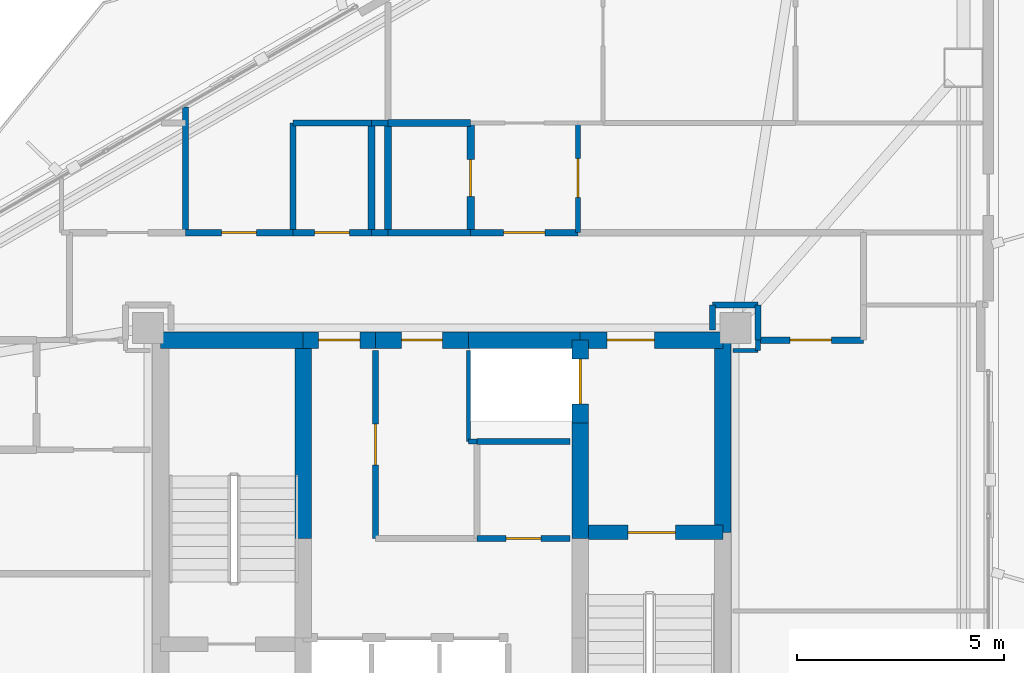
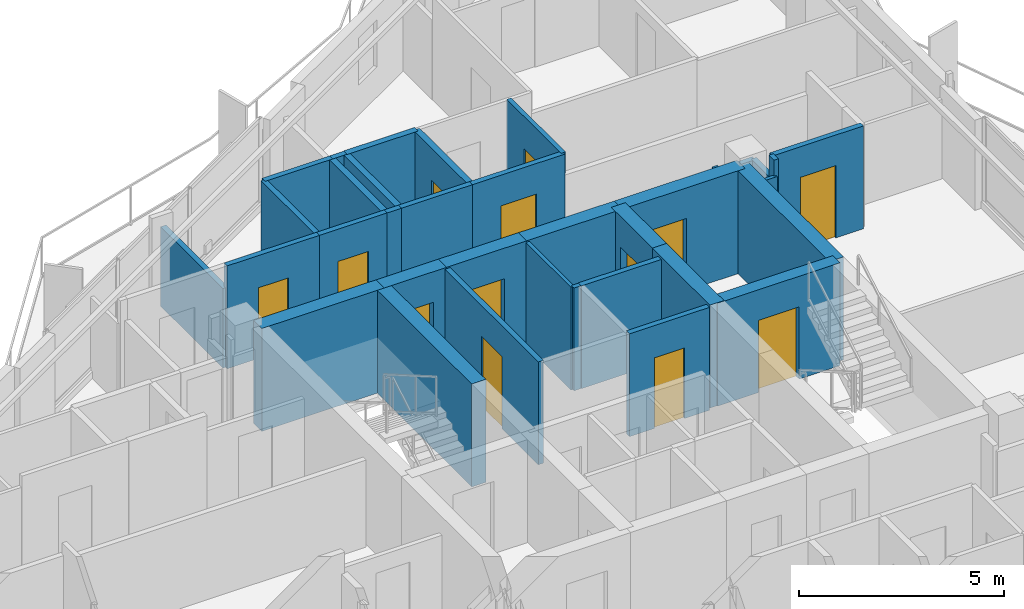
# One storey, part 15 of 19: 35 walls, 13 doors, 13 openings.
"""IFC4 building model written with IfcOpenShell, lengths in metres."""

from ifc_helpers import new_model, si_unit, direction, frame, frame_2d, origin, place, context, subcontext, project, spatial, rectangle, extrude, material, layer, layer_set, type_object, element, fill, save


model = new_model("IFC4")

# Units and contexts
model_context = context("Model", 3, precision=1e-05, world=origin(), true_north=direction((0.0, 1.0)))
body_context = subcontext(model_context, "Body", "Model", "MODEL_VIEW")
ifc_project = project(units=[si_unit("LENGTHUNIT", "METRE"), si_unit("AREAUNIT", "SQUARE_METRE"), si_unit("VOLUMEUNIT", "CUBIC_METRE"), si_unit("PLANEANGLEUNIT", "RADIAN"), si_unit("MASSUNIT", "GRAM", prefix="KILO")], contexts=[model_context])

# Site, building, storey
site_placement = place(None, origin())
site = spatial("IfcSite", under=ifc_project, at=site_placement, CompositionType="ELEMENT")
building_placement = place(site_placement, origin())
building = spatial("IfcBuilding", under=site, at=building_placement, Name="Mersakhor Tower and Convention Hall", CompositionType="ELEMENT")
storey_placement = place(building_placement, frame((0.0, 0.0, 147.60009765625)))
storey = spatial("IfcBuildingStorey", under=building, at=storey_placement, Name="L41", CompositionType="ELEMENT", Elevation=147.60009765625)

# Wall, opening, door
ifc_material_1 = material(Name="Moisture-resistant acoustic drywall studwork", Category="other")
ifc_layer_1 = layer(ifc_material_1, 0.175048828125)
ifc_layer_set_1 = layer_set([ifc_layer_1], Name="Moisture-resistant acoustic drywall studwork")
wall_type_1 = type_object("IfcWallType", Name="WL-PLM-175", PredefinedType="PLUMBINGWALL", material=ifc_layer_set_1)
wall_1_placement = place(storey_placement, frame((29.699951171875, 35.35009765625, 0.0), z_axis=(0.0, 0.0, 1.0), x_axis=(0.0, 1.0, 0.0)))
wall_1 = element("IfcWall", 1, at=wall_1_placement, inside=storey, type_object=wall_type_1, Name="L41 Interior Partition Wall P-054", PredefinedType="PLUMBINGWALL", context=body_context, shape_type="SweptSolid", body=[
    extrude(rectangle(XDim=2.64990234375, YDim=0.175048828125, at=frame_2d((1.324951171875, 0.0))), origin(), (0.0, 0.0, 1.0), 3.059814453125),
])
opening_1_placement = place(wall_1_placement, frame((0.875, 0.0, 0.0)))
opening_1 = element("IfcOpeningElement", 2, at=opening_1_placement, cuts=wall_1, Name="Opening WD-01", PredefinedType="OPENING", context=body_context, shape_type="SweptSolid", body=[
    extrude(rectangle(XDim=0.89990234375, YDim=2.10009765625, at=frame_2d((0.449951171875, 1.050048828125))), frame((0.0, 0.097412109375, 0.0), z_axis=(0.0, -1.0, 0.0), x_axis=(1.0, 0.0, 0.0)), (0.0, 0.0, 1.0), 0.195068359375),
])
ifc_material_2 = material(Name="Solid-core hardwood leaf in painted steel frame", Category="steel")
door_type_1 = type_object("IfcDoorType", Name="DR-INT-WET-090x210", OperationType="NOTDEFINED", PredefinedType="DOOR", material=ifc_material_2)
door_1_placement = place(opening_1_placement, origin())
door_1 = element("IfcDoor", 3, at=door_1_placement, inside=storey, type_object=door_type_1, Name="L41 L41 Flat N2 Apartment Hall to L41 Flat N2 Bathroom Door", OperationType="SINGLE_SWING_LEFT", OverallHeight=2.10009765625, OverallWidth=0.89990234375, PredefinedType="DOOR", context=body_context, shape_type="SweptSolid", body=[
    extrude(rectangle(XDim=0.89990234375, YDim=2.10009765625, at=frame_2d((0.449951171875, 1.050048828125))), frame((0.0, 0.02490234375, 0.0), z_axis=(0.0, -1.0, 0.0), x_axis=(1.0, 0.0, 0.0)), (0.0, 0.0, 1.0), 0.050048828125),
])
fill(opening_1, door_1)

# Walls
wall_2_placement = place(storey_placement, frame((27.300048828125, 38.0, 0.0), z_axis=(0.0, 0.0, 1.0), x_axis=(0.0, -1.0, 0.0)))
element("IfcWall", 4, at=wall_2_placement, inside=storey, type_object=wall_type_1, Name="L41 Interior Partition Wall P-069", PredefinedType="PLUMBINGWALL", context=body_context, shape_type="SweptSolid", body=[
    extrude(rectangle(XDim=2.64990234375, YDim=0.175048828125, at=frame_2d((1.324951171875, 0.0))), origin(), (0.0, 0.0, 1.0), 3.059814453125),
])
wall_3_placement = place(storey_placement, frame((27.699951171875, 38.0, 0.0), z_axis=(0.0, 0.0, 1.0), x_axis=(1.0, 0.0, 0.0)))
element("IfcWall", 5, at=wall_3_placement, inside=storey, type_object=wall_type_1, Name="L41 Interior Partition Wall P-071", PredefinedType="PLUMBINGWALL", context=body_context, shape_type="SweptSolid", body=[
    extrude(rectangle(XDim=2.0, YDim=0.175048828125, at=frame_2d((1.0, 0.0))), origin(), (0.0, 0.0, 1.0), 3.059814453125),
])
wall_4_placement = place(storey_placement, frame((27.699951171875, 35.35009765625, 0.0), z_axis=(0.0, 0.0, 1.0), x_axis=(0.0, 1.0, 0.0)))
element("IfcWall", 6, at=wall_4_placement, inside=storey, type_object=wall_type_1, Name="L41 Interior Partition Wall P-072", PredefinedType="PLUMBINGWALL", context=body_context, shape_type="SweptSolid", body=[
    extrude(rectangle(XDim=2.64990234375, YDim=0.175048828125, at=frame_2d((1.324951171875, 0.0))), origin(), (0.0, 0.0, 1.0), 3.059814453125),
])
ifc_material_3 = material(Name="Lightweight gypsum partition", Category="other")
ifc_layer_2 = layer(ifc_material_3, 0.10009765625)
ifc_layer_set_2 = layer_set([ifc_layer_2], Name="Lightweight gypsum partition")
wall_type_2 = type_object("IfcWallType", Name="WL-PRT-100", PredefinedType="PARTITIONING", material=ifc_layer_set_2)
wall_5_placement = place(storey_placement, frame((29.64990234375, 30.300048828125, 0.0), z_axis=(0.0, 0.0, 1.0), x_axis=(0.0, 1.0, 0.0)))
element("IfcWall", 7, at=wall_5_placement, inside=storey, type_object=wall_type_2, Name="L41 Interior Partition Wall P-006", PredefinedType="PARTITIONING", context=body_context, shape_type="SweptSolid", body=[
    extrude(rectangle(XDim=2.199951171875, YDim=0.10009765625, at=frame_2d((1.10009765625, 0.0))), origin(), (0.0, 0.0, 1.0), 3.059814453125),
])
wall_6_placement = place(storey_placement, frame((36.050048828125, 32.5, 0.0), z_axis=(0.0, 0.0, 1.0), x_axis=(1.0, 0.0, 0.0)))
element("IfcWall", 8, at=wall_6_placement, inside=storey, type_object=wall_type_2, Name="L41 Interior Partition Wall P-098", PredefinedType="PARTITIONING", context=body_context, shape_type="SweptSolid", body=[
    extrude(rectangle(XDim=0.599853515625, YDim=0.10009765625, at=frame_2d((0.2998046875, 0.0))), origin(), (0.0, 0.0, 1.0), 2.5849609375),
])
ifc_material_4 = material(Name="Gypsum board acoustic partition", Category="other")
ifc_layer_3 = layer(ifc_material_4, 0.125)
ifc_layer_set_3 = layer_set([ifc_layer_3], Name="Gypsum board acoustic partition")
wall_type_3 = type_object("IfcWallType", Name="WL-PRT-125", PredefinedType="PARTITIONING", material=ifc_layer_set_3)
wall_7_placement = place(storey_placement, frame((29.85009765625, 30.300048828125, 0.0), z_axis=(0.0, 0.0, 1.0), x_axis=(-1.0, 0.0, 0.0)))
element("IfcWall", 9, at=wall_7_placement, inside=storey, type_object=wall_type_3, Name="L41 Interior Partition Wall P-005", PredefinedType="PARTITIONING", context=body_context, shape_type="SweptSolid", body=[
    extrude(rectangle(XDim=0.2001953125, YDim=0.125, at=frame_2d((0.10009765625, 0.0))), origin(), (0.0, 0.0, 1.0), 3.059814453125),
])

# Wall, opening, door
wall_8_placement = place(storey_placement, frame((32.300048828125, 38.0, 0.0), z_axis=(0.0, 0.0, 1.0), x_axis=(0.0, -1.0, 0.0)))
wall_8 = element("IfcWall", 10, at=wall_8_placement, inside=storey, type_object=wall_type_3, Name="L41 Interior Partition Wall P-053", PredefinedType="PARTITIONING", context=body_context, shape_type="SweptSolid", body=[
    extrude(rectangle(XDim=2.64990234375, YDim=0.125, at=frame_2d((1.324951171875, 0.0))), origin(), (0.0, 0.0, 1.0), 3.059814453125),
])
opening_2_placement = place(wall_8_placement, frame((0.85009765625, 0.0, 0.0)))
opening_2 = element("IfcOpeningElement", 11, at=opening_2_placement, cuts=wall_8, Name="Opening RD-01", PredefinedType="OPENING", context=body_context, shape_type="SweptSolid", body=[
    extrude(rectangle(XDim=0.949951171875, YDim=2.10009765625, at=frame_2d((0.47509765625, 1.050048828125))), frame((0.0, 0.072509765625, 0.0), z_axis=(0.0, -1.0, 0.0), x_axis=(1.0, 0.0, 0.0)), (0.0, 0.0, 1.0), 0.14501953125),
])
ifc_material_5 = material(Name="Solid-core hardwood leaf in painted steel frame", Category="steel")
door_type_2 = type_object("IfcDoorType", Name="DR-INT-RM-095x210", OperationType="NOTDEFINED", PredefinedType="DOOR", material=ifc_material_5)
door_2_placement = place(opening_2_placement, origin())
door_2 = element("IfcDoor", 12, at=door_2_placement, inside=storey, type_object=door_type_2, Name="L41 L41 Flat N2 Apartment Hall to L41 Flat N2 Kitchen Door", OperationType="SINGLE_SWING_RIGHT", OverallHeight=2.10009765625, OverallWidth=0.949951171875, PredefinedType="DOOR", context=body_context, shape_type="SweptSolid", body=[
    extrude(rectangle(XDim=0.949951171875, YDim=2.10009765625, at=frame_2d((0.47509765625, 1.050048828125))), frame((0.0, 0.02490234375, 0.0), z_axis=(0.0, -1.0, 0.0), x_axis=(1.0, 0.0, 0.0)), (0.0, 0.0, 1.0), 0.050048828125),
])
fill(opening_2, door_2)

# Walls
wall_9_placement = place(storey_placement, frame((36.64990234375, 32.5, 0.0), z_axis=(0.0, 0.0, 1.0), x_axis=(0.0, 1.0, 0.0)))
element("IfcWall", 13, at=wall_9_placement, inside=storey, type_object=wall_type_3, Name="L41 Interior Partition Wall P-099", PredefinedType="PARTITIONING", context=body_context, shape_type="SweptSolid", body=[
    extrude(rectangle(XDim=0.25, YDim=0.125, at=frame_2d((0.125, 0.0))), origin(), (0.0, 0.0, 1.0), 3.059814453125),
])
ifc_material_6 = material(Name="Fire-rated gypsum board stud partition", Category="other")
ifc_layer_4 = layer(ifc_material_6, 0.14990234375)
ifc_layer_set_4 = layer_set([ifc_layer_4], Name="Fire-rated gypsum board stud partition")
wall_type_4 = type_object("IfcWallType", Name="WL-PRT-150", PredefinedType="PARTITIONING", material=ifc_layer_set_4)
wall_10_placement = place(storey_placement, frame((32.10009765625, 30.300048828125, 0.0), z_axis=(0.0, 0.0, 1.0), x_axis=(-1.0, 0.0, 0.0)))
element("IfcWall", 14, at=wall_10_placement, inside=storey, type_object=wall_type_4, Name="L41 Interior Partition Wall P-004", PredefinedType="PARTITIONING", context=body_context, shape_type="SweptSolid", body=[
    extrude(rectangle(XDim=2.25, YDim=0.14990234375, at=frame_2d((1.125, 0.0))), origin(), (0.0, 0.0, 1.0), 3.059814453125),
])

# Wall, opening, door
wall_11_placement = place(storey_placement, frame((27.39990234375, 32.5, 0.0), z_axis=(0.0, 0.0, 1.0), x_axis=(0.0, -1.0, 0.0)))
wall_11 = element("IfcWall", 15, at=wall_11_placement, inside=storey, type_object=wall_type_4, Name="L41 Interior Partition Wall P-013", PredefinedType="PARTITIONING", context=body_context, shape_type="SweptSolid", body=[
    extrude(rectangle(XDim=4.550048828125, YDim=0.14990234375, at=frame_2d((2.27490234375, 0.0))), origin(), (0.0, 0.0, 1.0), 3.059814453125),
])
opening_3_placement = place(wall_11_placement, frame((1.77490234375, 0.0, 0.0)))
opening_3 = element("IfcOpeningElement", 16, at=opening_3_placement, cuts=wall_11, Name="Opening FD-01", PredefinedType="OPENING", context=body_context, shape_type="SweptSolid", body=[
    extrude(rectangle(XDim=1.0, YDim=2.14990234375, at=frame_2d((0.5, 1.074951171875))), frame((0.0, 0.0849609375, 0.0), z_axis=(0.0, -1.0, 0.0), x_axis=(1.0, 0.0, 0.0)), (0.0, 0.0, 1.0), 0.169921875),
])
ifc_material_7 = material(Name="Fire-rated hardwood leaf and painted steel frame", Category="steel")
door_type_3 = type_object("IfcDoorType", Name="DR-INT-FLT-100x215", OperationType="NOTDEFINED", PredefinedType="DOOR", material=ifc_material_7)
door_3_placement = place(opening_3_placement, origin())
door_3 = element("IfcDoor", 17, at=door_3_placement, inside=storey, type_object=door_type_3, Name="L41 Central Passenger Lift Lobby to Communal Resident Laundry Room Door", OperationType="SINGLE_SWING_RIGHT", OverallHeight=2.14990234375, OverallWidth=1.0, PredefinedType="DOOR", context=body_context, shape_type="SweptSolid", body=[
    extrude(rectangle(XDim=1.0, YDim=2.14990234375, at=frame_2d((0.5, 1.074951171875))), frame((0.0, 0.02490234375, 0.0), z_axis=(0.0, -1.0, 0.0), x_axis=(1.0, 0.0, 0.0)), (0.0, 0.0, 1.0), 0.050048828125),
])
fill(opening_3, door_3)

wall_12_placement = place(storey_placement, frame((29.85009765625, 27.949951171875, 0.0), z_axis=(0.0, 0.0, 1.0), x_axis=(1.0, 0.0, 0.0)))
wall_12 = element("IfcWall", 18, at=wall_12_placement, inside=storey, type_object=wall_type_4, Name="L41 Interior Partition Wall P-015", PredefinedType="PARTITIONING", context=body_context, shape_type="SweptSolid", body=[
    extrude(rectangle(XDim=2.25, YDim=0.14990234375, at=frame_2d((1.125, 0.0))), origin(), (0.0, 0.0, 1.0), 3.059814453125),
])
opening_4_placement = place(wall_12_placement, frame((0.699951171875, 0.0, 0.0)))
opening_4 = element("IfcOpeningElement", 19, at=opening_4_placement, cuts=wall_12, Name="Opening SVD-01", PredefinedType="OPENING", context=body_context, shape_type="SweptSolid", body=[
    extrude(rectangle(XDim=0.85009765625, YDim=2.10009765625, at=frame_2d((0.425048828125, 1.050048828125))), frame((0.0, 0.0849609375, 0.0), z_axis=(0.0, -1.0, 0.0), x_axis=(1.0, 0.0, 0.0)), (0.0, 0.0, 1.0), 0.169921875),
])
ifc_material_8 = material(Name="Fire-rated hardwood leaf and painted steel frame", Category="steel")
door_type_4 = type_object("IfcDoorType", Name="DR-INT-SVC-085x210", OperationType="NOTDEFINED", PredefinedType="DOOR", material=ifc_material_8)
door_4_placement = place(opening_4_placement, origin())
door_4 = element("IfcDoor", 20, at=door_4_placement, inside=storey, type_object=door_type_4, Name="L41 Central Passenger Lift Lobby to Resident Pram and Linen Store Room Door", OperationType="SINGLE_SWING_LEFT", OverallHeight=2.10009765625, OverallWidth=0.85009765625, PredefinedType="DOOR", context=body_context, shape_type="SweptSolid", body=[
    extrude(rectangle(XDim=0.85009765625, YDim=2.10009765625, at=frame_2d((0.425048828125, 1.050048828125))), frame((0.0, 0.02490234375, 0.0), z_axis=(0.0, -1.0, 0.0), x_axis=(1.0, 0.0, 0.0)), (0.0, 0.0, 1.0), 0.050048828125),
])
fill(opening_4, door_4)

# Wall
wall_13_placement = place(storey_placement, frame((35.550048828125, 33.60009765625, 0.0), z_axis=(0.0, 0.0, 1.0), x_axis=(0.0, -1.0, 0.0)))
element("IfcWall", 21, at=wall_13_placement, inside=storey, type_object=wall_type_4, Name="L41 Interior Partition Wall P-016", PredefinedType="PARTITIONING", context=body_context, shape_type="SweptSolid", body=[
    extrude(rectangle(XDim=0.60009765625, YDim=0.14990234375, at=frame_2d((0.300048828125, 0.0))), origin(), (0.0, 0.0, 1.0), 2.5849609375),
])

# Wall, opening, door
wall_14_placement = place(storey_placement, frame((22.800048828125, 35.35009765625, 0.0), z_axis=(0.0, 0.0, 1.0), x_axis=(1.0, 0.0, 0.0)))
wall_14 = element("IfcWall", 22, at=wall_14_placement, inside=storey, type_object=wall_type_4, Name="L41 Interior Partition Wall P-023", PredefinedType="PARTITIONING", context=body_context, shape_type="SweptSolid", body=[
    extrude(rectangle(XDim=2.599853515625, YDim=0.14990234375, at=frame_2d((1.2998046875, 0.0))), origin(), (0.0, 0.0, 1.0), 3.059814453125),
])
opening_5_placement = place(wall_14_placement, frame((0.875, 0.0, 0.0)))
opening_5 = element("IfcOpeningElement", 23, at=opening_5_placement, cuts=wall_14, Name="Opening SVD-01", PredefinedType="OPENING", context=body_context, shape_type="SweptSolid", body=[
    extrude(rectangle(XDim=0.85009765625, YDim=2.10009765625, at=frame_2d((0.425048828125, 1.050048828125))), frame((0.0, 0.0849609375, 0.0), z_axis=(0.0, -1.0, 0.0), x_axis=(1.0, 0.0, 0.0)), (0.0, 0.0, 1.0), 0.169921875),
])
door_5_placement = place(opening_5_placement, origin())
door_5 = element("IfcDoor", 24, at=door_5_placement, inside=storey, type_object=door_type_4, Name="L41 Residential North Gallery Corridor to L41 Floor Household Store Room 1-1 Door", OperationType="SINGLE_SWING_RIGHT", OverallHeight=2.10009765625, OverallWidth=0.85009765625, PredefinedType="DOOR", context=body_context, shape_type="SweptSolid", body=[
    extrude(rectangle(XDim=0.85009765625, YDim=2.10009765625, at=frame_2d((0.425048828125, 1.050048828125))), frame((0.0, 0.02490234375, 0.0), z_axis=(0.0, -1.0, 0.0), x_axis=(1.0, 0.0, 0.0)), (0.0, 0.0, 1.0), 0.050048828125),
])
fill(opening_5, door_5)

wall_15_placement = place(storey_placement, frame((25.39990234375, 35.35009765625, 0.0), z_axis=(0.0, 0.0, 1.0), x_axis=(1.0, 0.0, 0.0)))
wall_15 = element("IfcWall", 25, at=wall_15_placement, inside=storey, type_object=wall_type_4, Name="L41 Interior Partition Wall P-024", PredefinedType="PARTITIONING", context=body_context, shape_type="SweptSolid", body=[
    extrude(rectangle(XDim=1.900146484375, YDim=0.14990234375, at=frame_2d((0.9501953125, 0.0))), origin(), (0.0, 0.0, 1.0), 3.059814453125),
])
opening_6_placement = place(wall_15_placement, frame((0.52490234375, 0.0, 0.0)))
opening_6 = element("IfcOpeningElement", 26, at=opening_6_placement, cuts=wall_15, Name="Opening SVD-01", PredefinedType="OPENING", context=body_context, shape_type="SweptSolid", body=[
    extrude(rectangle(XDim=0.85009765625, YDim=2.10009765625, at=frame_2d((0.425048828125, 1.050048828125))), frame((0.0, 0.0849609375, 0.0), z_axis=(0.0, -1.0, 0.0), x_axis=(1.0, 0.0, 0.0)), (0.0, 0.0, 1.0), 0.169921875),
])
door_6_placement = place(opening_6_placement, origin())
door_6 = element("IfcDoor", 27, at=door_6_placement, inside=storey, type_object=door_type_4, Name="L41 Residential North Gallery Corridor to L41 Floor Shared Restroom WC 1-2 Door", OperationType="SINGLE_SWING_LEFT", OverallHeight=2.10009765625, OverallWidth=0.85009765625, PredefinedType="DOOR", context=body_context, shape_type="SweptSolid", body=[
    extrude(rectangle(XDim=0.85009765625, YDim=2.10009765625, at=frame_2d((0.425048828125, 1.050048828125))), frame((0.0, 0.02490234375, 0.0), z_axis=(0.0, -1.0, 0.0), x_axis=(1.0, 0.0, 0.0)), (0.0, 0.0, 1.0), 0.050048828125),
])
fill(opening_6, door_6)

# Walls
wall_16_placement = place(storey_placement, frame((27.300048828125, 35.35009765625, 0.0), z_axis=(0.0, 0.0, 1.0), x_axis=(1.0, 0.0, 0.0)))
element("IfcWall", 28, at=wall_16_placement, inside=storey, type_object=wall_type_4, Name="L41 Interior Partition Wall P-025", PredefinedType="PARTITIONING", context=body_context, shape_type="SweptSolid", body=[
    extrude(rectangle(XDim=0.39990234375, YDim=0.14990234375, at=frame_2d((0.199951171875, 0.0))), origin(), (0.0, 0.0, 1.0), 3.059814453125),
])
wall_17_placement = place(storey_placement, frame((27.699951171875, 35.35009765625, 0.0), z_axis=(0.0, 0.0, 1.0), x_axis=(1.0, 0.0, 0.0)))
element("IfcWall", 29, at=wall_17_placement, inside=storey, type_object=wall_type_4, Name="L41 Interior Partition Wall P-026", PredefinedType="PARTITIONING", context=body_context, shape_type="SweptSolid", body=[
    extrude(rectangle(XDim=2.0, YDim=0.14990234375, at=frame_2d((1.0, 0.0))), origin(), (0.0, 0.0, 1.0), 3.059814453125),
])

# Wall, opening, door
wall_18_placement = place(storey_placement, frame((29.699951171875, 35.35009765625, 0.0), z_axis=(0.0, 0.0, 1.0), x_axis=(1.0, 0.0, 0.0)))
wall_18 = element("IfcWall", 30, at=wall_18_placement, inside=storey, type_object=wall_type_4, Name="L41 Interior Partition Wall P-027", PredefinedType="PARTITIONING", context=body_context, shape_type="SweptSolid", body=[
    extrude(rectangle(XDim=2.60009765625, YDim=0.14990234375, at=frame_2d((1.300048828125, 0.0))), origin(), (0.0, 0.0, 1.0), 3.059814453125),
])
opening_7_placement = place(wall_18_placement, frame((0.800048828125, 0.0, 0.0)))
opening_7 = element("IfcOpeningElement", 31, at=opening_7_placement, cuts=wall_18, Name="Opening FD-01", PredefinedType="OPENING", context=body_context, shape_type="SweptSolid", body=[
    extrude(rectangle(XDim=1.0, YDim=2.14990234375, at=frame_2d((0.5, 1.074951171875))), frame((0.0, 0.0849609375, 0.0), z_axis=(0.0, -1.0, 0.0), x_axis=(1.0, 0.0, 0.0)), (0.0, 0.0, 1.0), 0.169921875),
])
door_7_placement = place(opening_7_placement, origin())
door_7 = element("IfcDoor", 32, at=door_7_placement, inside=storey, type_object=door_type_3, Name="L41 Apartment Entrance Door (Residential North Gallery Corridor to L41 Flat N2 Apartment Hall)", OperationType="SINGLE_SWING_LEFT", OverallHeight=2.14990234375, OverallWidth=1.0, PredefinedType="DOOR", context=body_context, shape_type="SweptSolid", body=[
    extrude(rectangle(XDim=1.0, YDim=2.14990234375, at=frame_2d((0.5, 1.074951171875))), frame((0.0, 0.02490234375, 0.0), z_axis=(0.0, -1.0, 0.0), x_axis=(1.0, 0.0, 0.0)), (0.0, 0.0, 1.0), 0.050048828125),
])
fill(opening_7, door_7)

wall_19_placement = place(storey_placement, frame((39.199951171875, 32.75, 0.0), z_axis=(0.0, 0.0, 1.0), x_axis=(-1.0, 0.0, 0.0)))
wall_19 = element("IfcWall", 33, at=wall_19_placement, inside=storey, type_object=wall_type_4, Name="L41 Interior Partition Wall P-031", PredefinedType="PARTITIONING", context=body_context, shape_type="SweptSolid", body=[
    extrude(rectangle(XDim=2.550048828125, YDim=0.14990234375, at=frame_2d((1.27490234375, 0.0))), origin(), (0.0, 0.0, 1.0), 3.059814453125),
])
opening_8_placement = place(wall_19_placement, frame((0.77490234375, 0.0, 0.0)))
opening_8 = element("IfcOpeningElement", 34, at=opening_8_placement, cuts=wall_19, Name="Opening FD-01", PredefinedType="OPENING", context=body_context, shape_type="SweptSolid", body=[
    extrude(rectangle(XDim=1.0, YDim=2.14990234375, at=frame_2d((0.5, 1.074951171875))), frame((0.0, 0.0849609375, 0.0), z_axis=(0.0, -1.0, 0.0), x_axis=(1.0, 0.0, 0.0)), (0.0, 0.0, 1.0), 0.169921875),
])
door_8_placement = place(opening_8_placement, origin())
door_8 = element("IfcDoor", 35, at=door_8_placement, inside=storey, type_object=door_type_3, Name="L41 Residential North Gallery Corridor to L41 East Wing Co-Working Office Door", OperationType="SINGLE_SWING_LEFT", OverallHeight=2.14990234375, OverallWidth=1.0, PredefinedType="DOOR", context=body_context, shape_type="SweptSolid", body=[
    extrude(rectangle(XDim=1.0, YDim=2.14990234375, at=frame_2d((0.5, 1.074951171875))), frame((0.0, 0.02490234375, 0.0), z_axis=(0.0, -1.0, 0.0), x_axis=(1.0, 0.0, 0.0)), (0.0, 0.0, 1.0), 0.050048828125),
])
fill(opening_8, door_8)

# Walls
wall_20_placement = place(storey_placement, frame((36.64990234375, 32.75, 0.0), z_axis=(0.0, 0.0, 1.0), x_axis=(0.0, 1.0, 0.0)))
element("IfcWall", 36, at=wall_20_placement, inside=storey, type_object=wall_type_4, Name="L41 Interior Partition Wall P-032", PredefinedType="PARTITIONING", context=body_context, shape_type="SweptSolid", body=[
    extrude(rectangle(XDim=0.85009765625, YDim=0.14990234375, at=frame_2d((0.425048828125, 0.0))), origin(), (0.0, 0.0, 1.0), 2.4326171875),
])
wall_21_placement = place(storey_placement, frame((36.64990234375, 33.60009765625, 0.0), z_axis=(0.0, 0.0, 1.0), x_axis=(-1.0, 0.0, 0.0)))
element("IfcWall", 37, at=wall_21_placement, inside=storey, type_object=wall_type_4, Name="L41 Interior Partition Wall P-033", PredefinedType="PARTITIONING", context=body_context, shape_type="SweptSolid", body=[
    extrude(rectangle(XDim=1.099853515625, YDim=0.14990234375, at=frame_2d((0.5498046875, 0.0))), origin(), (0.0, 0.0, 1.0), 2.4326171875),
])
wall_22_placement = place(storey_placement, frame((25.39990234375, 38.0, 0.0), z_axis=(0.0, 0.0, 1.0), x_axis=(1.0, 0.0, 0.0)))
element("IfcWall", 38, at=wall_22_placement, inside=storey, type_object=wall_type_4, Name="L41 Interior Partition Wall P-068", PredefinedType="PARTITIONING", context=body_context, shape_type="SweptSolid", body=[
    extrude(rectangle(XDim=1.900146484375, YDim=0.14990234375, at=frame_2d((0.9501953125, 0.0))), origin(), (0.0, 0.0, 1.0), 3.059814453125),
])
wall_23_placement = place(storey_placement, frame((25.39990234375, 35.35009765625, 0.0), z_axis=(0.0, 0.0, 1.0), x_axis=(0.0, 1.0, 0.0)))
element("IfcWall", 39, at=wall_23_placement, inside=storey, type_object=wall_type_4, Name="L41 Interior Partition Wall P-070", PredefinedType="PARTITIONING", context=body_context, shape_type="SweptSolid", body=[
    extrude(rectangle(XDim=2.64990234375, YDim=0.14990234375, at=frame_2d((1.324951171875, 0.0))), origin(), (0.0, 0.0, 1.0), 3.059814453125),
])
wall_24_placement = place(storey_placement, frame((27.699951171875, 38.0, 0.0), z_axis=(0.0, 0.0, 1.0), x_axis=(-1.0, 0.0, 0.0)))
element("IfcWall", 40, at=wall_24_placement, inside=storey, type_object=wall_type_4, Name="L41 Interior Partition Wall P-108", PredefinedType="PARTITIONING", context=body_context, shape_type="SweptSolid", body=[
    extrude(rectangle(XDim=0.39990234375, YDim=0.14990234375, at=frame_2d((0.199951171875, 0.0))), origin(), (0.0, 0.0, 1.0), 3.059814453125),
])
wall_25_placement = place(storey_placement, frame((22.800048828125, 35.35009765625, 0.0), z_axis=(0.0, 0.0, 1.0), x_axis=(0.0, 1.0, 0.0)))
element("IfcWall", 41, at=wall_25_placement, inside=storey, type_object=wall_type_4, Name="L41 Interior Partition Wall P-109", PredefinedType="PARTITIONING", context=body_context, shape_type="SweptSolid", body=[
    extrude(rectangle(XDim=3.04052734375, YDim=0.14990234375, at=frame_2d((1.520263671875, 0.0))), origin(), (0.0, 0.0, 1.0), 2.364990234375),
])

# Wall, opening, door
ifc_material_9 = material(Name="Concrete C50/60", Category="concrete")
ifc_layer_5 = layer(ifc_material_9, 0.35009765625)
ifc_layer_set_5 = layer_set([ifc_layer_5], Name="Concrete C50/60")
wall_type_5 = type_object("IfcWallType", Name="WL-SHR-350", PredefinedType="SHEAR", material=ifc_layer_set_5)
wall_26_placement = place(storey_placement, frame((32.35009765625, 28.10009765625, 0.0), z_axis=(0.0, 0.0, 1.0), x_axis=(1.0, 0.0, 0.0)))
wall_26 = element("IfcWall", 42, at=wall_26_placement, inside=storey, type_object=wall_type_5, Name="L41 Core Wall CS-ST2-N", PredefinedType="SHEAR", context=body_context, shape_type="SweptSolid", body=[
    extrude(rectangle(XDim=3.449951171875, YDim=0.35009765625, at=frame_2d((1.72509765625, 0.0))), origin(), (0.0, 0.0, 1.0), 3.059814453125),
])
opening_9_placement = place(wall_26_placement, frame((1.14990234375, 0.0, 0.0)))
opening_9 = element("IfcOpeningElement", 43, at=opening_9_placement, cuts=wall_26, Name="Opening SD-01", PredefinedType="OPENING", context=body_context, shape_type="SweptSolid", body=[
    extrude(rectangle(XDim=1.14990234375, YDim=2.14990234375, at=frame_2d((0.574951171875, 1.074951171875))), frame((0.0, 0.18505859375, 0.0), z_axis=(0.0, -1.0, 0.0), x_axis=(1.0, 0.0, 0.0)), (0.0, 0.0, 1.0), 0.3701171875),
])
ifc_material_10 = material(Name="Fire-rated hardwood leaf and painted steel frame", Category="steel")
door_type_5 = type_object("IfcDoorType", Name="DR-INT-STAIR-115x215", OperationType="NOTDEFINED", PredefinedType="DOOR", material=ifc_material_10)
door_9_placement = place(opening_9_placement, origin())
door_9 = element("IfcDoor", 44, at=door_9_placement, inside=storey, type_object=door_type_5, Name="L41 Exit Stair ST-2 Enclosure Door", OperationType="SINGLE_SWING_RIGHT", OverallHeight=2.14990234375, OverallWidth=1.14990234375, PredefinedType="DOOR", context=body_context, shape_type="SweptSolid", body=[
    extrude(rectangle(XDim=1.14990234375, YDim=2.14990234375, at=frame_2d((0.574951171875, 1.074951171875))), frame((0.0, 0.02490234375, 0.0), z_axis=(0.0, -1.0, 0.0), x_axis=(1.0, 0.0, 0.0)), (0.0, 0.0, 1.0), 0.050048828125),
])
fill(opening_9, door_9)

# Wall
ifc_material_11 = material(Name="Concrete C60/75", Category="concrete")
ifc_layer_6 = layer(ifc_material_11, 0.39990234375)
ifc_layer_set_6 = layer_set([ifc_layer_6], Name="Concrete C60/75")
wall_type_6 = type_object("IfcWallType", Name="WL-SHR-400", PredefinedType="SHEAR", material=ifc_layer_set_6)
wall_27_placement = place(storey_placement, frame((22.199951171875, 32.75, 0.0), z_axis=(0.0, 0.0, 1.0), x_axis=(1.0, 0.0, 0.0)))
element("IfcWall", 45, at=wall_27_placement, inside=storey, type_object=wall_type_6, Name="L41 Core Wall CW-N1", PredefinedType="SHEAR", context=body_context, shape_type="SweptSolid", body=[
    extrude(rectangle(XDim=3.449951171875, YDim=0.39990234375, at=frame_2d((1.72509765625, 0.0))), origin(), (0.0, 0.0, 1.0), 3.059814453125),
])

# Wall, opening, door
wall_28_placement = place(storey_placement, frame((25.64990234375, 32.75, 0.0), z_axis=(0.0, 0.0, 1.0), x_axis=(1.0, 0.0, 0.0)))
wall_28 = element("IfcWall", 46, at=wall_28_placement, inside=storey, type_object=wall_type_6, Name="L41 Core Wall CW-N2A", PredefinedType="SHEAR", context=body_context, shape_type="SweptSolid", body=[
    extrude(rectangle(XDim=1.75, YDim=0.39990234375, at=frame_2d((0.875, 0.0))), origin(), (0.0, 0.0, 1.0), 3.059814453125),
])
opening_10_placement = place(wall_28_placement, frame((0.375, 0.0, 0.0)))
opening_10 = element("IfcOpeningElement", 47, at=opening_10_placement, cuts=wall_28, Name="Opening CFD-01", PredefinedType="OPENING", context=body_context, shape_type="SweptSolid", body=[
    extrude(rectangle(XDim=1.0, YDim=2.14990234375, at=frame_2d((0.5, 1.074951171875))), frame((0.0, 0.2099609375, 0.0), z_axis=(0.0, -1.0, 0.0), x_axis=(1.0, 0.0, 0.0)), (0.0, 0.0, 1.0), 0.419921875),
])
ifc_material_12 = material(Name="Fire-rated hardwood leaf and painted steel frame", Category="steel")
door_type_6 = type_object("IfcDoorType", Name="DR-CORE-FD-100x215", OperationType="NOTDEFINED", PredefinedType="DOOR", material=ifc_material_12)
door_10_placement = place(opening_10_placement, origin())
door_10 = element("IfcDoor", 48, at=door_10_placement, inside=storey, type_object=door_type_6, Name="L41 Lift Lobby North Corridor Door", OperationType="SINGLE_SWING_LEFT", OverallHeight=2.14990234375, OverallWidth=1.0, PredefinedType="DOOR", context=body_context, shape_type="SweptSolid", body=[
    extrude(rectangle(XDim=1.0, YDim=2.14990234375, at=frame_2d((0.5, 1.074951171875))), frame((0.0, 0.02490234375, 0.0), z_axis=(0.0, -1.0, 0.0), x_axis=(1.0, 0.0, 0.0)), (0.0, 0.0, 1.0), 0.050048828125),
])
fill(opening_10, door_10)

wall_29_placement = place(storey_placement, frame((27.39990234375, 32.75, 0.0), z_axis=(0.0, 0.0, 1.0), x_axis=(1.0, 0.0, 0.0)))
wall_29 = element("IfcWall", 49, at=wall_29_placement, inside=storey, type_object=wall_type_6, Name="L41 Core Wall CW-N2B", PredefinedType="SHEAR", context=body_context, shape_type="SweptSolid", body=[
    extrude(rectangle(XDim=2.25, YDim=0.39990234375, at=frame_2d((1.125, 0.0))), origin(), (0.0, 0.0, 1.0), 3.059814453125),
])
opening_11_placement = place(wall_29_placement, frame((0.625, 0.0, 0.0)))
opening_11 = element("IfcOpeningElement", 50, at=opening_11_placement, cuts=wall_29, Name="Opening FD-01", PredefinedType="OPENING", context=body_context, shape_type="SweptSolid", body=[
    extrude(rectangle(XDim=1.0, YDim=2.14990234375, at=frame_2d((0.5, 1.074951171875))), frame((0.0, 0.2099609375, 0.0), z_axis=(0.0, -1.0, 0.0), x_axis=(1.0, 0.0, 0.0)), (0.0, 0.0, 1.0), 0.419921875),
])
door_11_placement = place(opening_11_placement, origin())
door_11 = element("IfcDoor", 51, at=door_11_placement, inside=storey, type_object=door_type_3, Name="L41 Residential North Gallery Corridor to Communal Resident Laundry Room Door", OperationType="SINGLE_SWING_RIGHT", OverallHeight=2.14990234375, OverallWidth=1.0, PredefinedType="DOOR", context=body_context, shape_type="SweptSolid", body=[
    extrude(rectangle(XDim=1.0, YDim=2.14990234375, at=frame_2d((0.5, 1.074951171875))), frame((0.0, 0.02490234375, 0.0), z_axis=(0.0, -1.0, 0.0), x_axis=(1.0, 0.0, 0.0)), (0.0, 0.0, 1.0), 0.050048828125),
])
fill(opening_11, door_11)

# Wall
wall_30_placement = place(storey_placement, frame((29.64990234375, 32.75, 0.0), z_axis=(0.0, 0.0, 1.0), x_axis=(1.0, 0.0, 0.0)))
element("IfcWall", 52, at=wall_30_placement, inside=storey, type_object=wall_type_6, Name="L41 Core Wall CW-N3", PredefinedType="SHEAR", context=body_context, shape_type="SweptSolid", body=[
    extrude(rectangle(XDim=2.7001953125, YDim=0.39990234375, at=frame_2d((1.35009765625, 0.0))), origin(), (0.0, 0.0, 1.0), 3.059814453125),
])

# Wall, opening, door
wall_31_placement = place(storey_placement, frame((32.35009765625, 32.75, 0.0), z_axis=(0.0, 0.0, 1.0), x_axis=(1.0, 0.0, 0.0)))
wall_31 = element("IfcWall", 53, at=wall_31_placement, inside=storey, type_object=wall_type_6, Name="L41 Core Wall CW-N4", PredefinedType="SHEAR", context=body_context, shape_type="SweptSolid", body=[
    extrude(rectangle(XDim=3.449951171875, YDim=0.39990234375, at=frame_2d((1.72509765625, 0.0))), origin(), (0.0, 0.0, 1.0), 3.059814453125),
])
opening_12_placement = place(wall_31_placement, frame((0.64990234375, 0.0, 0.0)))
opening_12 = element("IfcOpeningElement", 54, at=opening_12_placement, cuts=wall_31, Name="Opening SD-01", PredefinedType="OPENING", context=body_context, shape_type="SweptSolid", body=[
    extrude(rectangle(XDim=1.14990234375, YDim=2.14990234375, at=frame_2d((0.574951171875, 1.074951171875))), frame((0.0, 0.2099609375, 0.0), z_axis=(0.0, -1.0, 0.0), x_axis=(1.0, 0.0, 0.0)), (0.0, 0.0, 1.0), 0.419921875),
])
door_12_placement = place(opening_12_placement, origin())
door_12 = element("IfcDoor", 55, at=door_12_placement, inside=storey, type_object=door_type_5, Name="L41 Firefighting Lobby East Fire Door", OperationType="SINGLE_SWING_RIGHT", OverallHeight=2.14990234375, OverallWidth=1.14990234375, PredefinedType="DOOR", context=body_context, shape_type="SweptSolid", body=[
    extrude(rectangle(XDim=1.14990234375, YDim=2.14990234375, at=frame_2d((0.574951171875, 1.074951171875))), frame((0.0, 0.02490234375, 0.0), z_axis=(0.0, -1.0, 0.0), x_axis=(1.0, 0.0, 0.0)), (0.0, 0.0, 1.0), 0.050048828125),
])
fill(opening_12, door_12)

# Walls
wall_32_placement = place(storey_placement, frame((35.800048828125, 32.75, 0.0), z_axis=(0.0, 0.0, 1.0), x_axis=(0.0, -1.0, 0.0)))
element("IfcWall", 56, at=wall_32_placement, inside=storey, type_object=wall_type_6, Name="L41 Core Wall CW-E1", PredefinedType="SHEAR", context=body_context, shape_type="SweptSolid", body=[
    extrude(rectangle(XDim=4.64990234375, YDim=0.39990234375, at=frame_2d((2.324951171875, 0.0))), origin(), (0.0, 0.0, 1.0), 3.059814453125),
])
wall_33_placement = place(storey_placement, frame((25.64990234375, 27.949951171875, 0.0), z_axis=(0.0, 0.0, 1.0), x_axis=(0.0, 1.0, 0.0)))
element("IfcWall", 57, at=wall_33_placement, inside=storey, type_object=wall_type_6, Name="L41 Core Wall CS-W-ST1", PredefinedType="SHEAR", context=body_context, shape_type="SweptSolid", body=[
    extrude(rectangle(XDim=4.800048828125, YDim=0.39990234375, at=frame_2d((2.39990234375, 0.0))), origin(), (0.0, 0.0, 1.0), 3.059814453125),
])
wall_34_placement = place(storey_placement, frame((32.35009765625, 27.949951171875, 0.0), z_axis=(0.0, 0.0, 1.0), x_axis=(0.0, 1.0, 0.0)))
element("IfcWall", 58, at=wall_34_placement, inside=storey, type_object=wall_type_6, Name="L41 Core Wall CS-E-MID", PredefinedType="SHEAR", context=body_context, shape_type="SweptSolid", body=[
    extrude(rectangle(XDim=2.800048828125, YDim=0.39990234375, at=frame_2d((1.39990234375, 0.0))), origin(), (0.0, 0.0, 1.0), 3.059814453125),
])

# Wall, opening, door
wall_35_placement = place(storey_placement, frame((32.35009765625, 30.75, 0.0), z_axis=(0.0, 0.0, 1.0), x_axis=(0.0, 1.0, 0.0)))
wall_35 = element("IfcWall", 59, at=wall_35_placement, inside=storey, type_object=wall_type_6, Name="L41 Core Wall CS-E-FFL", PredefinedType="SHEAR", context=body_context, shape_type="SweptSolid", body=[
    extrude(rectangle(XDim=2.0, YDim=0.39990234375, at=frame_2d((1.0, 0.0))), origin(), (0.0, 0.0, 1.0), 3.059814453125),
])
opening_13_placement = place(wall_35_placement, frame((0.449951171875, 0.0, 0.0)))
opening_13 = element("IfcOpeningElement", 60, at=opening_13_placement, cuts=wall_35, Name="Opening LD-FFL2", PredefinedType="OPENING", context=body_context, shape_type="SweptSolid", body=[
    extrude(rectangle(XDim=1.10009765625, YDim=2.14990234375, at=frame_2d((0.550048828125, 1.074951171875))), frame((0.0, 0.2099609375, 0.0), z_axis=(0.0, -1.0, 0.0), x_axis=(1.0, 0.0, 0.0)), (0.0, 0.0, 1.0), 0.419921875),
])
ifc_material_13 = material(Name="Fire-rated brushed stainless steel sliding landing door", Category="steel")
door_type_7 = type_object("IfcDoorType", Name="DR-LIFT-SLD-110x215", OperationType="NOTDEFINED", PredefinedType="DOOR", material=ifc_material_13)
door_13_placement = place(opening_13_placement, origin())
door_13 = element("IfcDoor", 61, at=door_13_placement, inside=storey, type_object=door_type_7, Name="L41 Firefighting Lift Landing Door LD-FFL2", OperationType="SLIDING_TO_LEFT", OverallHeight=2.14990234375, OverallWidth=1.10009765625, PredefinedType="DOOR", context=body_context, shape_type="SweptSolid", body=[
    extrude(rectangle(XDim=1.10009765625, YDim=2.14990234375, at=frame_2d((0.550048828125, 1.074951171875))), frame((0.0, 0.02490234375, 0.0), z_axis=(0.0, -1.0, 0.0), x_axis=(1.0, 0.0, 0.0)), (0.0, 0.0, 1.0), 0.050048828125),
])
fill(opening_13, door_13)

save(model, "model.ifc")
